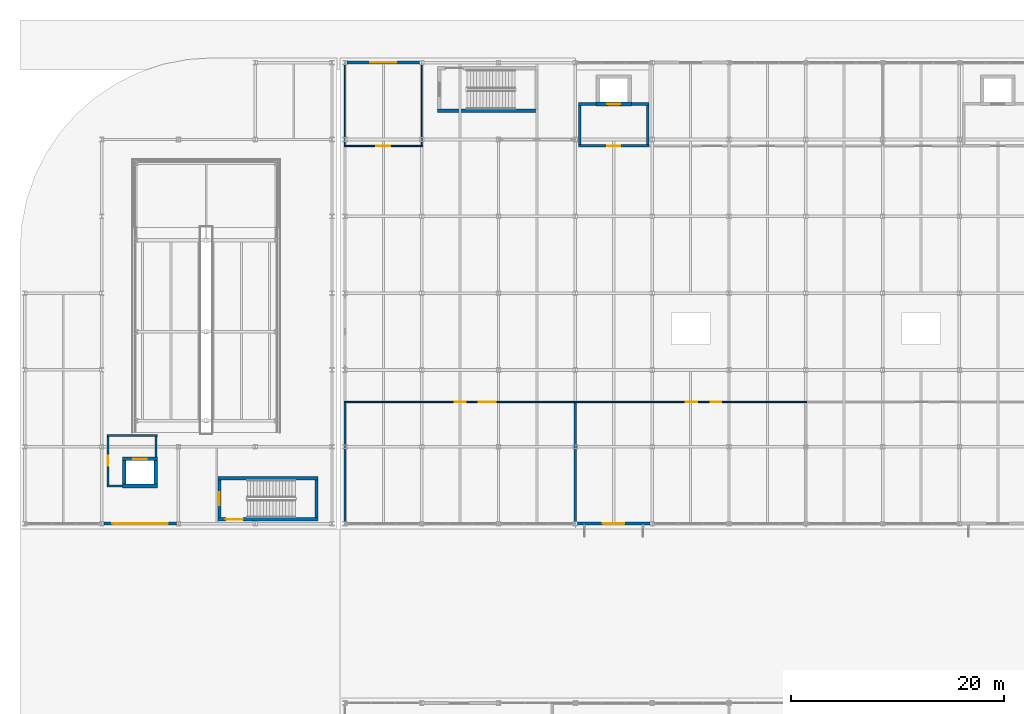
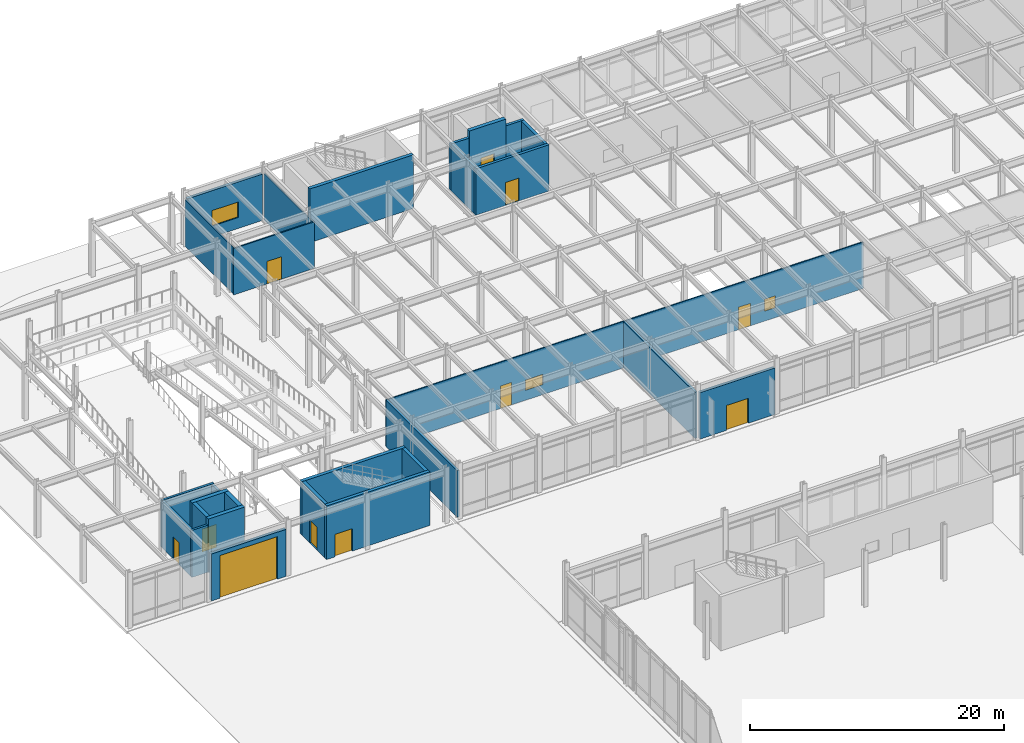
# One storey, part 73 of 104: 29 walls, 11 doors, 3 windows, 14 openings.
"""IFC4 building model written with IfcOpenShell, lengths in metres."""

import ifcopenshell
import ifcopenshell.guid

model = None  # the IFC model being written
_history = None  # IfcOwnerHistory: only IFC2X3 demands one
_inside = {}  # id of a spatial element -> (the spatial element, [elements in it])
_under = {}  # id of a project, library or spatial element -> (it, [spatial elements below it])
_declared = {}  # id of a project -> (the project, [libraries it declares])
_typed = {}  # id of a type object -> (the type object, [elements of that type])
_made_of = {}  # id of a material, layer set ... -> (it, [elements and type objects made of it])


def new_model(schema):
    """Start an empty IFC model of exactly this schema.

    Asked for "IFC4X3", IfcOpenShell would pick the latest addendum, in which some entities
    have other attributes; the version numbers below select the first issue.
    IFC2X3 requires an IfcOwnerHistory on every rooted entity: one is made here for all.
    """
    global model, _history
    if schema == "IFC4X3":
        model = ifcopenshell.file(schema_version=(4, 3, 0, 0))
    else:
        model = ifcopenshell.file(schema=schema)
    _inside.clear()
    _under.clear()
    _declared.clear()
    _typed.clear()
    _made_of.clear()
    _history = None
    if model.schema == "IFC2X3":
        org = make("IfcOrganization", Name="unknown")
        user = make(
            "IfcPersonAndOrganization",
            ThePerson=make("IfcPerson", FamilyName="unknown"),
            TheOrganization=org,
        )
        app = make(
            "IfcApplication",
            ApplicationDeveloper=org,
            Version="unknown",
            ApplicationFullName="unknown",
            ApplicationIdentifier="unknown",
        )
        _history = make(
            "IfcOwnerHistory",
            OwningUser=user,
            OwningApplication=app,
            ChangeAction="ADDED",
            CreationDate=0,
        )
    return model


def make(cls, **values):
    """One entity of the class cls with the attributes given. An attribute that is None is left unset."""
    return model.create_entity(
        cls, **{name: value for name, value in values.items() if value is not None}
    )


def rooted(cls, **values):
    """An entity with a GlobalId (a new one), such as an element, a storey or a relation."""
    return make(cls, GlobalId=ifcopenshell.guid.new(), OwnerHistory=_history, **values)


def si_unit(unit_type, name, prefix=None):
    """IfcSIUnit, for example si_unit("LENGTHUNIT", "METRE", prefix="MILLI")."""
    return make("IfcSIUnit", UnitType=unit_type, Prefix=prefix, Name=name)


def assignment(units):
    """IfcUnitAssignment: the units of a project."""
    return None if units is None else make("IfcUnitAssignment", Units=units)


def point(xyz):
    """IfcCartesianPoint."""
    return None if xyz is None else make("IfcCartesianPoint", Coordinates=xyz)


def direction(xyz):
    """IfcDirection."""
    return None if xyz is None else make("IfcDirection", DirectionRatios=xyz)


def frame(location, z_axis=None, x_axis=None):
    """IfcAxis2Placement3D, a coordinate frame: its origin and axes. An axis left out is left unset."""
    return make(
        "IfcAxis2Placement3D",
        Location=point(location),
        Axis=direction(z_axis),
        RefDirection=direction(x_axis),
    )


def frame_2d(location, x_axis=None):
    """IfcAxis2Placement2D, a coordinate frame in the plane: its origin and x axis."""
    return make(
        "IfcAxis2Placement2D", Location=point(location), RefDirection=direction(x_axis)
    )


def origin():
    """The frame at (0, 0, 0) with its axes left unset."""
    return frame((0.0, 0.0, 0.0))


def place(relative_to, where):
    """IfcLocalPlacement: puts the frame where relative to a parent placement (None: the world)."""
    return make(
        "IfcLocalPlacement", PlacementRelTo=relative_to, RelativePlacement=where
    )


def context(
    kind, dimensions, precision=None, world=None, true_north=None, identifier=None
):
    """IfcGeometricRepresentationContext, for example the 3D "Model" context."""
    return make(
        "IfcGeometricRepresentationContext",
        ContextIdentifier=identifier,
        ContextType=kind,
        CoordinateSpaceDimension=dimensions,
        Precision=precision,
        WorldCoordinateSystem=world,
        TrueNorth=true_north,
    )


def subcontext(parent, identifier, kind, view, scale=None):
    """IfcGeometricRepresentationSubContext, for example "Body" below "Model"."""
    return make(
        "IfcGeometricRepresentationSubContext",
        ContextIdentifier=identifier,
        ContextType=kind,
        ParentContext=parent,
        TargetScale=scale,
        TargetView=view,
    )


def project(units=None, contexts=None):
    """IfcProject with its units and contexts."""
    return rooted(
        "IfcProject",
        Name="project",
        RepresentationContexts=contexts,
        UnitsInContext=assignment(units),
    )


def spatial(cls, under=None, at=None, **own):
    """A site, building, storey or space (cls), placed at a placement, below another one or the project."""
    s = rooted(cls, ObjectPlacement=at, **own)
    if under is not None:
        _under.setdefault(under.id(), (under, []))[1].append(s)
    return s


def profile(cls, at=None, kind="AREA", **sizes):
    """A parametric profile (cls). Its sizes go by their IFC names, for example OverallWidth=200.0."""
    return make(cls, ProfileType=kind, Position=at, **sizes)


def rectangle(**sizes):
    """IfcRectangleProfileDef."""
    return profile("IfcRectangleProfileDef", **sizes)


def extrude(swept, where, along, depth):
    """IfcExtrudedAreaSolid: the profile swept, set in the frame where, extruded along a direction by depth."""
    return make(
        "IfcExtrudedAreaSolid",
        SweptArea=swept,
        Position=where,
        ExtrudedDirection=direction(along),
        Depth=depth,
    )


def shape(context_of_items, identifier, shape_type, items):
    """IfcShapeRepresentation: the items that make up one representation, for example the "Body"."""
    return make(
        "IfcShapeRepresentation",
        ContextOfItems=context_of_items,
        RepresentationIdentifier=identifier,
        RepresentationType=shape_type,
        Items=items,
    )


def material(Name=None, Category=None):
    """IfcMaterial."""
    return make("IfcMaterial", Name=Name, Category=Category)


def layer(
    of_material, thickness, ventilated=None, Name=None, Category=None, Priority=None
):
    """IfcMaterialLayer: one layer of a wall or slab, of a material (None: an air gap)."""
    return make(
        "IfcMaterialLayer",
        Material=of_material,
        LayerThickness=thickness,
        IsVentilated=ventilated,
        Name=Name,
        Category=Category,
        Priority=Priority,
    )


def layer_set(layers, Name=None):
    """IfcMaterialLayerSet."""
    return make("IfcMaterialLayerSet", MaterialLayers=layers, LayerSetName=Name)


def made_of(thing, what):
    """Note that an element or type object is made of a material, layer set ...; save() writes the relation."""
    if what is not None:
        _made_of.setdefault(what.id(), (what, []))[1].append(thing)
    return thing


def type_object(cls, material=None, **own):
    """A type object (cls), such as IfcWallType, which elements share."""
    return made_of(rooted(cls, **own), material)


def element(
    cls,
    number,
    at=None,
    inside=None,
    cuts=None,
    type_object=None,
    material=None,
    context=None,
    identifier="Body",
    shape_type=None,
    held_by="IfcProductDefinitionShape",
    body=None,
    shapes=None,
    **own,
):
    """One element of the class cls, such as IfcWall. Its Tag is "e" and its number.

    at: its placement. inside: the storey or other place that contains it. cuts: it is an
    opening in that element (IfcRelVoidsElement). A single representation is given by context,
    identifier, shape_type and body (its items); several are given by shapes. held_by: the class
    of the entity that holds the representations. save() writes the other relations.
    """
    e = rooted(cls, Tag="e%d" % number, ObjectPlacement=at, **own)
    if body is not None:
        shapes = [shape(context, identifier, shape_type, body)]
    if shapes is not None:
        e.Representation = make(held_by, Representations=shapes)
    if inside is not None:
        _inside.setdefault(inside.id(), (inside, []))[1].append(e)
    if cuts is not None:
        rooted(
            "IfcRelVoidsElement", RelatingBuildingElement=cuts, RelatedOpeningElement=e
        )
    if type_object is not None:
        _typed.setdefault(type_object.id(), (type_object, []))[1].append(e)
    return made_of(e, material)


def fill(opening, filler):
    """IfcRelFillsElement: the door or window that sits in an opening."""
    return rooted(
        "IfcRelFillsElement",
        RelatingOpeningElement=opening,
        RelatedBuildingElement=filler,
    )


def aggregate(whole, parts):
    """IfcRelAggregates: a whole, such as a stair, and the parts it consists of."""
    return rooted("IfcRelAggregates", RelatingObject=whole, RelatedObjects=parts)


def save(model, path):
    """Write the relations noted so far, then the file.

    IfcRelAggregates (storeys below a building ...), IfcRelContainedInSpatialStructure (elements
    in a storey), IfcRelDefinesByType, IfcRelAssociatesMaterial and IfcRelDeclares: one each for
    every whole, place, type object, material and project.
    """
    for whole, parts in _under.values():
        aggregate(whole, parts)
    for where, things in _inside.values():
        rooted(
            "IfcRelContainedInSpatialStructure",
            RelatedElements=things,
            RelatingStructure=where,
        )
    for kind, things in _typed.values():
        rooted("IfcRelDefinesByType", RelatedObjects=things, RelatingType=kind)
    for what, things in _made_of.values():
        rooted("IfcRelAssociatesMaterial", RelatedObjects=things, RelatingMaterial=what)
    for by, libraries in _declared.values():
        rooted("IfcRelDeclares", RelatingContext=by, RelatedDefinitions=libraries)
    model.write(path)


model = new_model("IFC4")

# Units and contexts
model_context = context("Model", 3, precision=1e-05, world=origin(), true_north=direction((0.0, 1.0)))
body_context = subcontext(model_context, "Body", "Model", "MODEL_VIEW")
ifc_project = project(units=[si_unit("LENGTHUNIT", "METRE"), si_unit("AREAUNIT", "SQUARE_METRE"), si_unit("VOLUMEUNIT", "CUBIC_METRE"), si_unit("PLANEANGLEUNIT", "RADIAN"), si_unit("MASSUNIT", "GRAM", prefix="KILO")], contexts=[model_context])

# Site, building, storey
site_placement = place(None, origin())
site = spatial("IfcSite", under=ifc_project, at=site_placement, CompositionType="ELEMENT")
building_placement = place(site_placement, origin())
building = spatial("IfcBuilding", under=site, at=building_placement, Name="Vaelcorin Mobility Hub", CompositionType="ELEMENT")
storey_placement = place(building_placement, origin())
storey = spatial("IfcBuildingStorey", under=building, at=storey_placement, Name="L00", CompositionType="ELEMENT", Elevation=0.0)

# Wall, opening, door
ifc_material_1 = material(Name="Reinforced concrete f'c 45 MPa", Category="concrete")
ifc_layer_1 = layer(ifc_material_1, 0.300048828125)
ifc_layer_set_1 = layer_set([ifc_layer_1], Name="Reinforced concrete f'c 45 MPa")
wall_type_1 = type_object("IfcWallType", Name="WL-CORE-300", PredefinedType="SOLIDWALL", material=ifc_layer_set_1)
wall_1_placement = place(storey_placement, frame((33.5, 77.199951171875, 0.0), z_axis=(0.0, 0.0, 1.0), x_axis=(-1.0, 0.0, 0.0)))
wall_1 = element("IfcWall", 1, at=wall_1_placement, inside=storey, type_object=wall_type_1, Name="ST1 Fire Core Wall L00 South", PredefinedType="SOLIDWALL", context=body_context, shape_type="SweptSolid", body=[
    extrude(rectangle(XDim=9.39990234375, YDim=0.300048828125, at=frame_2d((4.699951171875, 0.0))), origin(), (0.0, 0.0, 1.0), 5.14990234375),
])
opening_1_placement = place(wall_1_placement, frame((7.050048828125, 0.0, 0.0)))
opening_1 = element("IfcOpeningElement", 2, at=opening_1_placement, cuts=wall_1, Name="Opening SD03", PredefinedType="OPENING", context=body_context, shape_type="SweptSolid", body=[
    extrude(rectangle(XDim=1.60009765625, YDim=2.14990234375, at=frame_2d((0.800048828125, 1.074951171875))), frame((0.0, 0.159912109375, 0.0), z_axis=(0.0, -1.0, 0.0), x_axis=(1.0, 0.0, 0.0)), (0.0, 0.0, 1.0), 0.320068359375),
])
ifc_material_2 = material(Name="Hollow-metal insulated steel fire door", Category="steel")
door_type_1 = type_object("IfcDoorType", Name="DR-STAIR-EXIT", OperationType="NOTDEFINED", PredefinedType="DOOR", material=ifc_material_2)
door_1_placement = place(opening_1_placement, origin())
door_1 = element("IfcDoor", 3, at=door_1_placement, inside=storey, type_object=door_type_1, Name="ST1 Final Exit Discharge Door L00", OperationType="SINGLE_SWING_RIGHT", OverallHeight=2.14990234375, OverallWidth=1.60009765625, PredefinedType="DOOR", context=body_context, shape_type="SweptSolid", body=[
    extrude(rectangle(XDim=1.60009765625, YDim=2.14990234375, at=frame_2d((0.800048828125, 1.074951171875))), frame((0.0, 0.02490234375, 0.0), z_axis=(0.0, -1.0, 0.0), x_axis=(1.0, 0.0, 0.0)), (0.0, 0.0, 1.0), 0.050048828125),
])
fill(opening_1, door_1)

# Wall
wall_2_placement = place(storey_placement, frame((24.10009765625, 81.06005859375, 0.0), z_axis=(0.0, 0.0, 1.0), x_axis=(1.0, 0.0, 0.0)))
element("IfcWall", 4, at=wall_2_placement, inside=storey, type_object=wall_type_1, Name="ST1 Fire Core Wall L00 North", PredefinedType="SOLIDWALL", context=body_context, shape_type="SweptSolid", body=[
    extrude(rectangle(XDim=9.39990234375, YDim=0.300048828125, at=frame_2d((4.699951171875, 0.0))), origin(), (0.0, 0.0, 1.0), 5.14990234375),
])

# Wall, opening, door
wall_3_placement = place(storey_placement, frame((24.25, 77.35009765625, 0.0), z_axis=(0.0, 0.0, 1.0), x_axis=(0.0, 1.0, 0.0)))
wall_3 = element("IfcWall", 5, at=wall_3_placement, inside=storey, type_object=wall_type_1, Name="ST1 Fire Core Wall L00 West", PredefinedType="SOLIDWALL", context=body_context, shape_type="SweptSolid", body=[
    extrude(rectangle(XDim=3.559814453125, YDim=0.300048828125, at=frame_2d((1.77978515625, 0.0))), origin(), (0.0, 0.0, 1.0), 5.14990234375),
])
opening_2_placement = place(wall_3_placement, frame((1.179931640625, 0.0, 0.0)))
opening_2 = element("IfcOpeningElement", 6, at=opening_2_placement, cuts=wall_3, Name="Opening SD01", PredefinedType="OPENING", context=body_context, shape_type="SweptSolid", body=[
    extrude(rectangle(XDim=1.199951171875, YDim=2.199951171875, at=frame_2d((0.60009765625, 1.10009765625))), frame((0.0, 0.159912109375, 0.0), z_axis=(0.0, -1.0, 0.0), x_axis=(1.0, 0.0, 0.0)), (0.0, 0.0, 1.0), 0.320068359375),
])
door_type_2 = type_object("IfcDoorType", Name="DR-STAIR-90", OperationType="NOTDEFINED", PredefinedType="DOOR", material=ifc_material_2)
door_2_placement = place(opening_2_placement, origin())
door_2 = element("IfcDoor", 7, at=door_2_placement, inside=storey, type_object=door_type_2, Name="ST1 Protected Stair Door L00", OperationType="SINGLE_SWING_LEFT", OverallHeight=2.199951171875, OverallWidth=1.199951171875, PredefinedType="DOOR", context=body_context, shape_type="SweptSolid", body=[
    extrude(rectangle(XDim=1.199951171875, YDim=2.199951171875, at=frame_2d((0.60009765625, 1.10009765625))), frame((0.0, 0.02490234375, 0.0), z_axis=(0.0, -1.0, 0.0), x_axis=(1.0, 0.0, 0.0)), (0.0, 0.0, 1.0), 0.050048828125),
])
fill(opening_2, door_2)

# Walls
wall_4_placement = place(storey_placement, frame((33.35009765625, 80.909912109375, 0.0), z_axis=(0.0, 0.0, 1.0), x_axis=(0.0, -1.0, 0.0)))
element("IfcWall", 8, at=wall_4_placement, inside=storey, type_object=wall_type_1, Name="ST1 Fire Core Wall L00 East", PredefinedType="SOLIDWALL", context=body_context, shape_type="SweptSolid", body=[
    extrude(rectangle(XDim=3.559814453125, YDim=0.300048828125, at=frame_2d((1.77978515625, 0.0))), origin(), (0.0, 0.0, 1.0), 5.14990234375),
])
wall_5_placement = place(storey_placement, frame((54.10009765625, 115.5, 0.0), z_axis=(0.0, 0.0, 1.0), x_axis=(-1.0, 0.0, 0.0)))
element("IfcWall", 9, at=wall_5_placement, inside=storey, type_object=wall_type_1, Name="ST3 Fire Core Wall L00 South", PredefinedType="SOLIDWALL", context=body_context, shape_type="SweptSolid", body=[
    extrude(rectangle(XDim=9.400146484375, YDim=0.300048828125, at=frame_2d((4.7001953125, 0.0))), origin(), (0.0, 0.0, 1.0), 5.159912109375),
])

# Wall, opening, window
ifc_material_3 = material(Name="Insulated exterior precast concrete C40/50", Category="concrete")
ifc_layer_2 = layer(ifc_material_3, 0.280029296875)
ifc_layer_set_2 = layer_set([ifc_layer_2], Name="Insulated exterior precast concrete C40/50")
wall_type_2 = type_object("IfcWallType", Name="WL-EXT-280", PredefinedType="STANDARD", material=ifc_layer_set_2)
wall_6_placement = place(storey_placement, frame((36.20703125, 120.0, 0.0), z_axis=(0.0, 0.0, 1.0), x_axis=(1.0, 0.0, 0.0)))
wall_6 = element("IfcWall", 10, at=wall_6_placement, inside=storey, type_object=wall_type_2, Name="L00 Exterior Wall V4-EW-L00-N-01", PredefinedType="STANDARD", context=body_context, shape_type="SweptSolid", body=[
    extrude(rectangle(XDim=6.785888671875, YDim=0.280029296875, at=frame_2d((3.39306640625, 0.0))), origin(), (0.0, 0.0, 1.0), 4.4619140625),
])
opening_3_placement = place(wall_6_placement, frame((2.193115234375, 0.0, 1.050048828125)))
opening_3 = element("IfcOpeningElement", 11, at=opening_3_placement, cuts=wall_6, Name="Opening WN11", PredefinedType="OPENING", context=body_context, shape_type="SweptSolid", body=[
    extrude(rectangle(XDim=2.39990234375, YDim=1.5, at=frame_2d((1.199951171875, 0.75))), frame((0.0, 0.14990234375, 0.0), z_axis=(0.0, -1.0, 0.0), x_axis=(1.0, 0.0, 0.0)), (0.0, 0.0, 1.0), 0.300048828125),
])
ifc_material_4 = material(Name="Double-glazed low-E window unit", Category="glass")
window_type_1 = type_object("IfcWindowType", Name="WIN-2400X1500", PartitioningType="SINGLE_PANEL", PredefinedType="WINDOW", material=ifc_material_4)
window_1_placement = place(opening_3_placement, origin())
window_1 = element("IfcWindow", 12, at=window_1_placement, inside=storey, type_object=window_type_1, Name="L00 Window V4-EW-L00-N-01-WN", OverallHeight=1.5, OverallWidth=2.39990234375, PartitioningType="SINGLE_PANEL", PredefinedType="WINDOW", context=body_context, shape_type="SweptSolid", body=[
    extrude(rectangle(XDim=2.39990234375, YDim=1.5, at=frame_2d((1.199951171875, 0.75))), frame((0.0, 0.030029296875, 0.0), z_axis=(0.0, -1.0, 0.0), x_axis=(1.0, 0.0, 0.0)), (0.0, 0.0, 1.0), 0.06005859375),
])
fill(opening_3, window_1)

# Wall, opening, door
wall_7_placement = place(storey_placement, frame((64.593017578125, 76.800048828125, 0.0), z_axis=(0.0, 0.0, 1.0), x_axis=(-1.0, 0.0, 0.0)))
wall_7 = element("IfcWall", 13, at=wall_7_placement, inside=storey, type_object=wall_type_2, Name="L00 Exterior Wall V4-EW-L00-S-04", PredefinedType="STANDARD", context=body_context, shape_type="SweptSolid", body=[
    extrude(rectangle(XDim=6.7861328125, YDim=0.280029296875, at=frame_2d((3.39306640625, 0.0))), origin(), (0.0, 0.0, 1.0), 4.4619140625),
])
opening_4_placement = place(wall_7_placement, frame((2.403076171875, 0.0, 0.0)))
opening_4 = element("IfcOpeningElement", 14, at=opening_4_placement, cuts=wall_7, Name="Opening ED01", PredefinedType="OPENING", context=body_context, shape_type="SweptSolid", body=[
    extrude(rectangle(XDim=2.0, YDim=2.39990234375, at=frame_2d((1.0, 1.199951171875))), frame((0.0, 0.14990234375, 0.0), z_axis=(0.0, -1.0, 0.0), x_axis=(1.0, 0.0, 0.0)), (0.0, 0.0, 1.0), 0.300048828125),
])
ifc_material_5 = material(Name="Anodised aluminium 6063-T6", Category="aluminium")
door_type_3 = type_object("IfcDoorType", Name="DR-EXT-2000X2400", OperationType="NOTDEFINED", PredefinedType="DOOR", material=ifc_material_5)
door_3_placement = place(opening_4_placement, origin())
door_3 = element("IfcDoor", 15, at=door_3_placement, inside=storey, type_object=door_type_3, Name="L00 Exterior Door DR-V4-ENT-04", OperationType="SINGLE_SWING_LEFT", OverallHeight=2.39990234375, OverallWidth=2.0, PredefinedType="DOOR", context=body_context, shape_type="SweptSolid", body=[
    extrude(rectangle(XDim=2.0, YDim=2.39990234375, at=frame_2d((1.0, 1.199951171875))), frame((0.0, 0.02490234375, 0.0), z_axis=(0.0, -1.0, 0.0), x_axis=(1.0, 0.0, 0.0)), (0.0, 0.0, 1.0), 0.050048828125),
])
fill(opening_4, door_3)

ifc_layer_3 = layer(ifc_material_3, 0.300048828125)
ifc_layer_set_3 = layer_set([ifc_layer_3], Name="Insulated exterior precast concrete C40/50")
wall_type_3 = type_object("IfcWallType", Name="WL-EXT-300", PredefinedType="STANDARD", material=ifc_layer_set_3)
wall_8_placement = place(storey_placement, frame((20.195068359375, 76.800048828125, 0.0), z_axis=(0.0, 0.0, 1.0), x_axis=(-1.0, 0.0, 0.0)))
wall_8 = element("IfcWall", 16, at=wall_8_placement, inside=storey, type_object=wall_type_3, Name="L00 Exterior Wall V2W-EW-PORTAL", PredefinedType="STANDARD", context=body_context, shape_type="SweptSolid", body=[
    extrude(rectangle(XDim=6.7900390625, YDim=0.300048828125, at=frame_2d((3.39501953125, 0.0))), origin(), (0.0, 0.0, 1.0), 4.52294921875),
])
opening_5_placement = place(wall_8_placement, frame((0.794921875, 0.0, 0.0)))
opening_5 = element("IfcOpeningElement", 17, at=opening_5_placement, cuts=wall_8, Name="Opening VG1", PredefinedType="OPENING", context=body_context, shape_type="SweptSolid", body=[
    extrude(rectangle(XDim=5.199951171875, YDim=4.10009765625, at=frame_2d((2.60009765625, 2.050048828125))), frame((0.0, 0.159912109375, 0.0), z_axis=(0.0, -1.0, 0.0), x_axis=(1.0, 0.0, 0.0)), (0.0, 0.0, 1.0), 0.320068359375),
])
door_type_4 = type_object("IfcDoorType", Name="DR-GATE-VG1", OperationType="NOTDEFINED", PredefinedType="GATE", material=ifc_material_5)
door_4_placement = place(opening_5_placement, origin())
door_4 = element("IfcDoor", 18, at=door_4_placement, inside=storey, type_object=door_type_4, Name="L00 Exterior Door DR-GATE-VG1-L00", OperationType="ROLLINGUP", OverallHeight=4.10009765625, OverallWidth=5.199951171875, PredefinedType="GATE", context=body_context, shape_type="SweptSolid", body=[
    extrude(rectangle(XDim=5.199951171875, YDim=4.10009765625, at=frame_2d((2.60009765625, 2.050048828125))), frame((0.0, 0.02490234375, 0.0), z_axis=(0.0, -1.0, 0.0), x_axis=(1.0, 0.0, 0.0)), (0.0, 0.0, 1.0), 0.050048828125),
])
fill(opening_5, door_4)

# Wall, openings, door, window
ifc_material_6 = material(Name="Fire-rated acoustic steel-stud gypsum board", Category="steel")
ifc_layer_4 = layer(ifc_material_6, 0.10009765625)
ifc_layer_set_4 = layer_set([ifc_layer_4], Name="Fire-rated acoustic steel-stud gypsum board")
wall_type_4 = type_object("IfcWallType", Name="WL-PART-100", PredefinedType="PARTITIONING", material=ifc_layer_set_4)
wall_9_placement = place(storey_placement, frame((35.919921875, 88.199951171875, 0.0), z_axis=(0.0, 0.0, 1.0), x_axis=(1.0, 0.0, 0.0)))
wall_9 = element("IfcWall", 19, at=wall_9_placement, inside=storey, type_object=wall_type_4, Name="Mobility Service Centre Partition North", PredefinedType="PARTITIONING", context=body_context, shape_type="SweptSolid", body=[
    extrude(rectangle(XDim=21.760009765625, YDim=0.10009765625, at=frame_2d((10.8798828125, 0.0))), origin(), (0.0, 0.0, 1.0), 4.45703125),
])
opening_6_placement = place(wall_9_placement, frame((10.3701171875, 0.0, 0.0)))
opening_6 = element("IfcOpeningElement", 20, at=opening_6_placement, cuts=wall_9, Name="Opening ID15", PredefinedType="OPENING", context=body_context, shape_type="SweptSolid", body=[
    extrude(rectangle(XDim=1.02001953125, YDim=2.159912109375, at=frame_2d((0.510009765625, 1.080078125))), frame((0.0, 0.06005859375, 0.0), z_axis=(0.0, -1.0, 0.0), x_axis=(1.0, 0.0, 0.0)), (0.0, 0.0, 1.0), 0.1201171875),
])
opening_7_placement = place(wall_9_placement, frame((12.639892578125, 0.0, 0.949951171875)))
opening_7 = element("IfcOpeningElement", 21, at=opening_7_placement, cuts=wall_9, Name="Opening IW-WN04", PredefinedType="OPENING", context=body_context, shape_type="SweptSolid", body=[
    extrude(rectangle(XDim=1.60009765625, YDim=1.0, at=frame_2d((0.800048828125, 0.5))), frame((0.0, 0.06005859375, 0.0), z_axis=(0.0, -1.0, 0.0), x_axis=(1.0, 0.0, 0.0)), (0.0, 0.0, 1.0), 0.1201171875),
])
ifc_material_7 = material(Name="Solid-core hardwood fire door assembly", Category="wood")
door_type_5 = type_object("IfcDoorType", Name="DR-INT-15", OperationType="NOTDEFINED", PredefinedType="DOOR", material=ifc_material_7)
door_5_placement = place(opening_6_placement, origin())
door_5 = element("IfcDoor", 22, at=door_5_placement, inside=storey, type_object=door_type_5, Name="Mobility Service Centre Door", OperationType="SINGLE_SWING_LEFT", OverallHeight=2.159912109375, OverallWidth=1.02001953125, PredefinedType="DOOR", context=body_context, shape_type="SweptSolid", body=[
    extrude(rectangle(XDim=1.02001953125, YDim=2.159912109375, at=frame_2d((0.510009765625, 1.080078125))), frame((0.0, 0.02490234375, 0.0), z_axis=(0.0, -1.0, 0.0), x_axis=(1.0, 0.0, 0.0)), (0.0, 0.0, 1.0), 0.050048828125),
])
fill(opening_6, door_5)
ifc_material_8 = material(Name="Acoustic laminated fire-rated interior glazing", Category="glass")
window_type_2 = type_object("IfcWindowType", Name="WIN-INT-04", PartitioningType="SINGLE_PANEL", PredefinedType="WINDOW", material=ifc_material_8)
window_2_placement = place(opening_7_placement, origin())
window_2 = element("IfcWindow", 23, at=window_2_placement, inside=storey, type_object=window_type_2, Name="Mobility Service Centre Observation Glazing", OverallHeight=1.0, OverallWidth=1.60009765625, PartitioningType="SINGLE_PANEL", PredefinedType="WINDOW", context=body_context, shape_type="SweptSolid", body=[
    extrude(rectangle(XDim=1.60009765625, YDim=1.0, at=frame_2d((0.800048828125, 0.5))), frame((0.0, 0.030029296875, 0.0), z_axis=(0.0, -1.0, 0.0), x_axis=(1.0, 0.0, 0.0)), (0.0, 0.0, 1.0), 0.06005859375),
])
fill(opening_7, window_2)

# Wall
wall_10_placement = place(storey_placement, frame((43.199951171875, 119.85791015625, 0.0), z_axis=(0.0, 0.0, 1.0), x_axis=(0.0, -1.0, 0.0)))
element("IfcWall", 24, at=wall_10_placement, inside=storey, type_object=wall_type_4, Name="Fire Command Centre Partition East", PredefinedType="PARTITIONING", context=body_context, shape_type="SweptSolid", body=[
    extrude(rectangle(XDim=7.595947265625, YDim=0.10009765625, at=frame_2d((3.7978515625, 0.0))), origin(), (0.0, 0.0, 1.0), 4.45703125),
])

# Wall, openings, door, window
ifc_layer_5 = layer(ifc_material_6, 0.10498046875)
ifc_layer_set_5 = layer_set([ifc_layer_5], Name="Fire-rated acoustic steel-stud gypsum board")
wall_type_5 = type_object("IfcWallType", Name="WL-PART-105", PredefinedType="PARTITIONING", material=ifc_layer_set_5)
wall_11_placement = place(storey_placement, frame((57.681884765625, 88.199951171875, 0.0), z_axis=(0.0, 0.0, 1.0), x_axis=(1.0, 0.0, 0.0)))
wall_11 = element("IfcWall", 25, at=wall_11_placement, inside=storey, type_object=wall_type_5, Name="Oasis Courtyard Garden Cafe Partition North", PredefinedType="PARTITIONING", context=body_context, shape_type="SweptSolid", body=[
    extrude(rectangle(XDim=21.59814453125, YDim=0.10498046875, at=frame_2d((10.799072265625, 0.0))), origin(), (0.0, 0.0, 1.0), 4.45703125),
])
opening_8_placement = place(wall_11_placement, frame((10.259033203125, 0.0, 0.0)))
opening_8 = element("IfcOpeningElement", 26, at=opening_8_placement, cuts=wall_11, Name="Opening ID16", PredefinedType="OPENING", context=body_context, shape_type="SweptSolid", body=[
    extrude(rectangle(XDim=1.080078125, YDim=2.159912109375, at=frame_2d((0.5400390625, 1.080078125))), frame((0.0, 0.0625, 0.0), z_axis=(0.0, -1.0, 0.0), x_axis=(1.0, 0.0, 0.0)), (0.0, 0.0, 1.0), 0.125),
])
opening_9_placement = place(wall_11_placement, frame((12.589111328125, 0.0, 0.949951171875)))
opening_9 = element("IfcOpeningElement", 27, at=opening_9_placement, cuts=wall_11, Name="Opening IW-WN05", PredefinedType="OPENING", context=body_context, shape_type="SweptSolid", body=[
    extrude(rectangle(XDim=1.0, YDim=1.14990234375, at=frame_2d((0.5, 0.574951171875))), frame((0.0, 0.0625, 0.0), z_axis=(0.0, -1.0, 0.0), x_axis=(1.0, 0.0, 0.0)), (0.0, 0.0, 1.0), 0.125),
])
door_type_6 = type_object("IfcDoorType", Name="DR-INT-16", OperationType="NOTDEFINED", PredefinedType="DOOR", material=ifc_material_7)
door_6_placement = place(opening_8_placement, origin())
door_6 = element("IfcDoor", 28, at=door_6_placement, inside=storey, type_object=door_type_6, Name="Oasis Courtyard Garden Cafe Door", OperationType="SINGLE_SWING_RIGHT", OverallHeight=2.159912109375, OverallWidth=1.080078125, PredefinedType="DOOR", context=body_context, shape_type="SweptSolid", body=[
    extrude(rectangle(XDim=1.080078125, YDim=2.159912109375, at=frame_2d((0.5400390625, 1.080078125))), frame((0.0, 0.02490234375, 0.0), z_axis=(0.0, -1.0, 0.0), x_axis=(1.0, 0.0, 0.0)), (0.0, 0.0, 1.0), 0.050048828125),
])
fill(opening_8, door_6)
window_type_3 = type_object("IfcWindowType", Name="WIN-INT-05", PartitioningType="SINGLE_PANEL", PredefinedType="WINDOW", material=ifc_material_8)
window_3_placement = place(opening_9_placement, origin())
window_3 = element("IfcWindow", 29, at=window_3_placement, inside=storey, type_object=window_type_3, Name="Oasis Courtyard Garden Cafe Observation Glazing", OverallHeight=1.14990234375, OverallWidth=1.0, PartitioningType="SINGLE_PANEL", PredefinedType="WINDOW", context=body_context, shape_type="SweptSolid", body=[
    extrude(rectangle(XDim=1.0, YDim=1.14990234375, at=frame_2d((0.5, 0.574951171875))), frame((0.0, 0.030029296875, 0.0), z_axis=(0.0, -1.0, 0.0), x_axis=(1.0, 0.0, 0.0)), (0.0, 0.0, 1.0), 0.06005859375),
])
fill(opening_9, window_3)

# Wall, opening, door
ifc_layer_6 = layer(ifc_material_6, 0.1201171875)
ifc_layer_set_6 = layer_set([ifc_layer_6], Name="Fire-rated acoustic steel-stud gypsum board")
wall_type_6 = type_object("IfcWallType", Name="WL-PART-120", PredefinedType="PARTITIONING", material=ifc_layer_set_6)
wall_12_placement = place(storey_placement, frame((43.280029296875, 112.199951171875, 0.0), z_axis=(0.0, 0.0, 1.0), x_axis=(-1.0, 0.0, 0.0)))
wall_12 = element("IfcWall", 30, at=wall_12_placement, inside=storey, type_object=wall_type_6, Name="Fire Command Centre Partition South", PredefinedType="PARTITIONING", context=body_context, shape_type="SweptSolid", body=[
    extrude(rectangle(XDim=7.360107421875, YDim=0.1201171875, at=frame_2d((3.68017578125, 0.0))), origin(), (0.0, 0.0, 1.0), 4.45703125),
])
opening_10_placement = place(wall_12_placement, frame((3.010009765625, 0.0, 0.0)))
opening_10 = element("IfcOpeningElement", 31, at=opening_10_placement, cuts=wall_12, Name="Opening ID19", PredefinedType="OPENING", context=body_context, shape_type="SweptSolid", body=[
    extrude(rectangle(XDim=1.340087890625, YDim=2.159912109375, at=frame_2d((0.669921875, 1.080078125))), frame((0.0, 0.070068359375, 0.0), z_axis=(0.0, -1.0, 0.0), x_axis=(1.0, 0.0, 0.0)), (0.0, 0.0, 1.0), 0.14013671875),
])
door_type_7 = type_object("IfcDoorType", Name="DR-INT-19", OperationType="NOTDEFINED", PredefinedType="DOOR", material=ifc_material_7)
door_7_placement = place(opening_10_placement, origin())
door_7 = element("IfcDoor", 32, at=door_7_placement, inside=storey, type_object=door_type_7, Name="Fire Command Centre Door", OperationType="SINGLE_SWING_LEFT", OverallHeight=2.159912109375, OverallWidth=1.340087890625, PredefinedType="DOOR", context=body_context, shape_type="SweptSolid", body=[
    extrude(rectangle(XDim=1.340087890625, YDim=2.159912109375, at=frame_2d((0.669921875, 1.080078125))), frame((0.0, 0.02490234375, 0.0), z_axis=(0.0, -1.0, 0.0), x_axis=(1.0, 0.0, 0.0)), (0.0, 0.0, 1.0), 0.050048828125),
])
fill(opening_10, door_7)

# Walls
ifc_material_9 = material(Name="Reinforced acoustic concrete masonry C30/37", Category="masonry")
ifc_layer_7 = layer(ifc_material_9, 0.205078125)
ifc_layer_set_7 = layer_set([ifc_layer_7], Name="Reinforced acoustic concrete masonry C30/37")
wall_type_7 = type_object("IfcWallType", Name="WL-PART-205", PredefinedType="PARTITIONING", material=ifc_layer_set_7)
wall_13_placement = place(storey_placement, frame((13.697998046875, 85.050048828125, 0.0), z_axis=(0.0, 0.0, 1.0), x_axis=(1.0, 0.0, 0.0)))
element("IfcWall", 33, at=wall_13_placement, inside=storey, type_object=wall_type_7, Name="West Drum Lift Lobby L00 Partition North", PredefinedType="PARTITIONING", context=body_context, shape_type="SweptSolid", body=[
    extrude(rectangle(XDim=4.751953125, YDim=0.205078125, at=frame_2d((2.3759765625, 0.0))), origin(), (0.0, 0.0, 1.0), 4.51806640625),
])
wall_14_placement = place(storey_placement, frame((15.14794921875, 80.324951171875, 0.0), z_axis=(0.0, 0.0, 1.0), x_axis=(-1.0, 0.0, 0.0)))
element("IfcWall", 34, at=wall_14_placement, inside=storey, type_object=wall_type_7, Name="West Drum Lift Lobby L00 Return Wall South", PredefinedType="PARTITIONING", context=body_context, shape_type="SweptSolid", body=[
    extrude(rectangle(XDim=1.449951171875, YDim=0.205078125, at=frame_2d((0.72509765625, 0.0))), origin(), (0.0, 0.0, 1.0), 4.51806640625),
])

# Wall, opening, door
wall_15_placement = place(storey_placement, frame((13.800048828125, 80.429931640625, 0.0), z_axis=(0.0, 0.0, 1.0), x_axis=(0.0, 1.0, 0.0)))
wall_15 = element("IfcWall", 35, at=wall_15_placement, inside=storey, type_object=wall_type_7, Name="West Drum Lift Lobby L00 Partition West", PredefinedType="PARTITIONING", context=body_context, shape_type="SweptSolid", body=[
    extrude(rectangle(XDim=4.51611328125, YDim=0.205078125, at=frame_2d((2.258056640625, 0.0))), origin(), (0.0, 0.0, 1.0), 4.51806640625),
])
opening_11_placement = place(wall_15_placement, frame((1.7880859375, 0.0, 0.0)))
opening_11 = element("IfcOpeningElement", 36, at=opening_11_placement, cuts=wall_15, Name="Opening ID02", PredefinedType="OPENING", context=body_context, shape_type="SweptSolid", body=[
    extrude(rectangle(XDim=0.93994140625, YDim=2.10009765625, at=frame_2d((0.469970703125, 1.050048828125))), frame((0.0, 0.112548828125, 0.0), z_axis=(0.0, -1.0, 0.0), x_axis=(1.0, 0.0, 0.0)), (0.0, 0.0, 1.0), 0.22509765625),
])
door_type_8 = type_object("IfcDoorType", Name="DR-INT-02", OperationType="NOTDEFINED", PredefinedType="DOOR", material=ifc_material_7)
door_8_placement = place(opening_11_placement, origin())
door_8 = element("IfcDoor", 37, at=door_8_placement, inside=storey, type_object=door_type_8, Name="West Drum Lift Lobby L00 Door", OperationType="SINGLE_SWING_LEFT", OverallHeight=2.10009765625, OverallWidth=0.93994140625, PredefinedType="DOOR", context=body_context, shape_type="SweptSolid", body=[
    extrude(rectangle(XDim=0.93994140625, YDim=2.10009765625, at=frame_2d((0.469970703125, 1.050048828125))), frame((0.0, 0.02490234375, 0.0), z_axis=(0.0, -1.0, 0.0), x_axis=(1.0, 0.0, 0.0)), (0.0, 0.0, 1.0), 0.050048828125),
])
fill(opening_11, door_8)

# Walls
wall_16_placement = place(storey_placement, frame((18.300048828125, 84.946044921875, 0.0), z_axis=(0.0, 0.0, 1.0), x_axis=(0.0, -1.0, 0.0)))
element("IfcWall", 38, at=wall_16_placement, inside=storey, type_object=wall_type_7, Name="West Drum Lift Lobby L00 Return Wall East", PredefinedType="PARTITIONING", context=body_context, shape_type="SweptSolid", body=[
    extrude(rectangle(XDim=1.89404296875, YDim=0.205078125, at=frame_2d((0.947021484375, 0.0))), origin(), (0.0, 0.0, 1.0), 4.51806640625),
])
ifc_layer_8 = layer(ifc_material_9, 0.2119140625)
ifc_layer_set_8 = layer_set([ifc_layer_8], Name="Reinforced acoustic concrete masonry C30/37")
wall_type_8 = type_object("IfcWallType", Name="WL-PART-212", PredefinedType="PARTITIONING", material=ifc_layer_set_8)
wall_17_placement = place(storey_placement, frame((36.0, 76.94189453125, 0.0), z_axis=(0.0, 0.0, 1.0), x_axis=(0.0, 1.0, 0.0)))
element("IfcWall", 39, at=wall_17_placement, inside=storey, type_object=wall_type_8, Name="Mobility Service Centre Partition West", PredefinedType="PARTITIONING", context=body_context, shape_type="SweptSolid", body=[
    extrude(rectangle(XDim=11.2060546875, YDim=0.2119140625, at=frame_2d((5.60302734375, 0.0))), origin(), (0.0, 0.0, 1.0), 4.45703125),
])
ifc_layer_9 = layer(ifc_material_9, 0.22509765625)
ifc_layer_set_9 = layer_set([ifc_layer_9], Name="Reinforced acoustic concrete masonry C30/37")
wall_type_9 = type_object("IfcWallType", Name="WL-PART-225", PredefinedType="PARTITIONING", material=ifc_layer_set_9)
wall_18_placement = place(storey_placement, frame((57.60009765625, 88.14599609375, 0.0), z_axis=(0.0, 0.0, 1.0), x_axis=(0.0, -1.0, 0.0)))
element("IfcWall", 40, at=wall_18_placement, inside=storey, type_object=wall_type_9, Name="Mobility Service Centre Partition East", PredefinedType="PARTITIONING", context=body_context, shape_type="SweptSolid", body=[
    extrude(rectangle(XDim=11.2041015625, YDim=0.22509765625, at=frame_2d((5.60205078125, 0.0))), origin(), (0.0, 0.0, 1.0), 4.45703125),
])

# Wall, opening, door
ifc_layer_10 = layer(ifc_material_9, 0.25)
ifc_layer_set_10 = layer_set([ifc_layer_10], Name="Reinforced acoustic concrete masonry C30/37")
wall_type_10 = type_object("IfcWallType", Name="WL-PART-250", PredefinedType="PARTITIONING", material=ifc_layer_set_10)
wall_19_placement = place(storey_placement, frame((64.52490234375, 112.199951171875, 0.0), z_axis=(0.0, 0.0, 1.0), x_axis=(-1.0, 0.0, 0.0)))
wall_19 = element("IfcWall", 41, at=wall_19_placement, inside=storey, type_object=wall_type_10, Name="Firefighting Lobby West L00 Partition South", PredefinedType="PARTITIONING", context=body_context, shape_type="SweptSolid", body=[
    extrude(rectangle(XDim=6.64990234375, YDim=0.25, at=frame_2d((3.324951171875, 0.0))), origin(), (0.0, 0.0, 1.0), 4.45703125),
])
opening_12_placement = place(wall_19_placement, frame((2.699951171875, 0.0, 0.0)))
opening_12 = element("IfcOpeningElement", 42, at=opening_12_placement, cuts=wall_19, Name="Opening SD02", PredefinedType="OPENING", context=body_context, shape_type="SweptSolid", body=[
    extrude(rectangle(XDim=1.25, YDim=2.199951171875, at=frame_2d((0.625, 1.10009765625))), frame((0.0, 0.135009765625, 0.0), z_axis=(0.0, -1.0, 0.0), x_axis=(1.0, 0.0, 0.0)), (0.0, 0.0, 1.0), 0.27001953125),
])
door_type_9 = type_object("IfcDoorType", Name="DR-STAIR-FF", OperationType="NOTDEFINED", PredefinedType="DOOR", material=ifc_material_2)
door_9_placement = place(opening_12_placement, origin())
door_9 = element("IfcDoor", 43, at=door_9_placement, inside=storey, type_object=door_type_9, Name="Firefighting Lobby West L00 Door", OperationType="SINGLE_SWING_LEFT", OverallHeight=2.199951171875, OverallWidth=1.25, PredefinedType="DOOR", context=body_context, shape_type="SweptSolid", body=[
    extrude(rectangle(XDim=1.25, YDim=2.199951171875, at=frame_2d((0.625, 1.10009765625))), frame((0.0, 0.02490234375, 0.0), z_axis=(0.0, -1.0, 0.0), x_axis=(1.0, 0.0, 0.0)), (0.0, 0.0, 1.0), 0.050048828125),
])
fill(opening_12, door_9)

# Walls
wall_20_placement = place(storey_placement, frame((57.875, 116.125, 0.0), z_axis=(0.0, 0.0, 1.0), x_axis=(1.0, 0.0, 0.0)))
element("IfcWall", 44, at=wall_20_placement, inside=storey, type_object=wall_type_10, Name="Firefighting Lobby West L00 Return Wall NW", PredefinedType="PARTITIONING", context=body_context, shape_type="SweptSolid", body=[
    extrude(rectangle(XDim=1.673095703125, YDim=0.25, at=frame_2d((0.83642578125, 0.0))), origin(), (0.0, 0.0, 1.0), 4.45703125),
])
wall_21_placement = place(storey_placement, frame((62.85205078125, 116.125, 0.0), z_axis=(0.0, 0.0, 1.0), x_axis=(1.0, 0.0, 0.0)))
element("IfcWall", 45, at=wall_21_placement, inside=storey, type_object=wall_type_10, Name="Firefighting Lobby West L00 Return Wall NE", PredefinedType="PARTITIONING", context=body_context, shape_type="SweptSolid", body=[
    extrude(rectangle(XDim=1.6728515625, YDim=0.25, at=frame_2d((0.83642578125, 0.0))), origin(), (0.0, 0.0, 1.0), 4.45703125),
])
for number, where, z_axis, x_axis, name in (
    (46, (58.0, 112.326904296875, 0.0), (0.0, 0.0, 1.0), (0.0, 1.0, 0.0), "Firefighting Lobby West L00 Partition West"),
    (47, (64.39990234375, 115.998046875, 0.0), (0.0, 0.0, 1.0), (0.0, -1.0, 0.0), "Firefighting Lobby West L00 Partition East"),
):
    element("IfcWall", number, at=place(storey_placement, frame(where, z_axis=z_axis, x_axis=x_axis)), inside=storey, type_object=wall_type_10, Name=name, PredefinedType="PARTITIONING", context=body_context, shape_type="SweptSolid", body=[
        extrude(rectangle(XDim=3.671142578125, YDim=0.25, at=frame_2d((1.83544921875, 0.0))), origin(), (0.0, 0.0, 1.0), 4.45703125),
    ])
ifc_layer_11 = layer(ifc_material_6, 0.094970703125)
ifc_layer_set_11 = layer_set([ifc_layer_11], Name="Fire-rated acoustic steel-stud gypsum board")
wall_type_11 = type_object("IfcWallType", Name="WL-PART-95", PredefinedType="PARTITIONING", material=ifc_layer_set_11)
wall_22_placement = place(storey_placement, frame((36.0, 112.261962890625, 0.0), z_axis=(0.0, 0.0, 1.0), x_axis=(0.0, 1.0, 0.0)))
element("IfcWall", 48, at=wall_22_placement, inside=storey, type_object=wall_type_11, Name="Fire Command Centre Partition West", PredefinedType="PARTITIONING", context=body_context, shape_type="SweptSolid", body=[
    extrude(rectangle(XDim=7.595947265625, YDim=0.094970703125, at=frame_2d((3.7978515625, 0.0))), origin(), (0.0, 0.0, 1.0), 4.45703125),
])

# Wall, opening, door
ifc_layer_12 = layer(ifc_material_1, 0.35009765625)
ifc_layer_set_12 = layer_set([ifc_layer_12], Name="Reinforced concrete f'c 45 MPa")
wall_type_12 = type_object("IfcWallType", Name="WL-SHEAR-350", PredefinedType="SHEAR", material=ifc_layer_set_12)
wall_23_placement = place(storey_placement, frame((62.85009765625, 116.125, 0.0), z_axis=(0.0, 0.0, 1.0), x_axis=(-1.0, 0.0, 0.0)))
wall_23 = element("IfcWall", 49, at=wall_23_placement, inside=storey, type_object=wall_type_12, Name="LF1 Lift Shaft Shear Wall L00 South", PredefinedType="SHEAR", context=body_context, shape_type="SweptSolid", body=[
    extrude(rectangle(XDim=3.300048828125, YDim=0.35009765625, at=frame_2d((1.64990234375, 0.0))), origin(), (0.0, 0.0, 1.0), 5.159912109375),
])
opening_13_placement = place(wall_23_placement, frame((1.050048828125, 0.0, 0.0)))
opening_13 = element("IfcOpeningElement", 50, at=opening_13_placement, cuts=wall_23, Name="Opening LD1", PredefinedType="OPENING", context=body_context, shape_type="SweptSolid", body=[
    extrude(rectangle(XDim=1.199951171875, YDim=2.199951171875, at=frame_2d((0.60009765625, 1.10009765625))), frame((0.0, 0.18505859375, 0.0), z_axis=(0.0, -1.0, 0.0), x_axis=(1.0, 0.0, 0.0)), (0.0, 0.0, 1.0), 0.3701171875),
])
ifc_material_10 = material(Name="Brushed stainless steel 316L", Category="steel")
door_type_10 = type_object("IfcDoorType", Name="DR-LIFT-LD1", OperationType="NOTDEFINED", PredefinedType="DOOR", material=ifc_material_10)
door_10_placement = place(opening_13_placement, origin())
door_10 = element("IfcDoor", 51, at=door_10_placement, inside=storey, type_object=door_type_10, Name="LF1 Lift Landing Sliding Door L00", OperationType="DOUBLE_DOOR_SLIDING", OverallHeight=2.199951171875, OverallWidth=1.199951171875, PredefinedType="DOOR", context=body_context, shape_type="SweptSolid", body=[
    extrude(rectangle(XDim=1.199951171875, YDim=2.199951171875, at=frame_2d((0.60009765625, 1.10009765625))), frame((0.0, 0.02490234375, 0.0), z_axis=(0.0, -1.0, 0.0), x_axis=(1.0, 0.0, 0.0)), (0.0, 0.0, 1.0), 0.050048828125),
])
fill(opening_13, door_10)

# Wall
wall_24_placement = place(storey_placement, frame((18.449951171875, 80.324951171875, 0.0), z_axis=(0.0, 0.0, 1.0), x_axis=(-1.0, 0.0, 0.0)))
element("IfcWall", 52, at=wall_24_placement, inside=storey, type_object=wall_type_12, Name="LF4 Lift Shaft Shear Wall L00 South", PredefinedType="SHEAR", context=body_context, shape_type="SweptSolid", body=[
    extrude(rectangle(XDim=3.300048828125, YDim=0.35009765625, at=frame_2d((1.64990234375, 0.0))), origin(), (0.0, 0.0, 1.0), 5.14990234375),
])

# Wall, opening, door
wall_25_placement = place(storey_placement, frame((15.14990234375, 82.875, 0.0), z_axis=(0.0, 0.0, 1.0), x_axis=(1.0, 0.0, 0.0)))
wall_25 = element("IfcWall", 53, at=wall_25_placement, inside=storey, type_object=wall_type_12, Name="LF4 Lift Shaft Shear Wall L00 North", PredefinedType="SHEAR", context=body_context, shape_type="SweptSolid", body=[
    extrude(rectangle(XDim=3.300048828125, YDim=0.35009765625, at=frame_2d((1.64990234375, 0.0))), origin(), (0.0, 0.0, 1.0), 5.14990234375),
])
opening_14_placement = place(wall_25_placement, frame((1.0, 0.0, 0.0)))
opening_14 = element("IfcOpeningElement", 54, at=opening_14_placement, cuts=wall_25, Name="Opening LD2", PredefinedType="OPENING", context=body_context, shape_type="SweptSolid", body=[
    extrude(rectangle(XDim=1.300048828125, YDim=2.199951171875, at=frame_2d((0.64990234375, 1.10009765625))), frame((0.0, 0.18505859375, 0.0), z_axis=(0.0, -1.0, 0.0), x_axis=(1.0, 0.0, 0.0)), (0.0, 0.0, 1.0), 0.3701171875),
])
door_type_11 = type_object("IfcDoorType", Name="DR-LIFT-LD2", OperationType="NOTDEFINED", PredefinedType="DOOR", material=ifc_material_10)
door_11_placement = place(opening_14_placement, origin())
door_11 = element("IfcDoor", 55, at=door_11_placement, inside=storey, type_object=door_type_11, Name="LF4 Lift Landing Sliding Door L00", OperationType="DOUBLE_DOOR_SLIDING", OverallHeight=2.199951171875, OverallWidth=1.300048828125, PredefinedType="DOOR", context=body_context, shape_type="SweptSolid", body=[
    extrude(rectangle(XDim=1.300048828125, YDim=2.199951171875, at=frame_2d((0.64990234375, 1.10009765625))), frame((0.0, 0.02490234375, 0.0), z_axis=(0.0, -1.0, 0.0), x_axis=(1.0, 0.0, 0.0)), (0.0, 0.0, 1.0), 0.050048828125),
])
fill(opening_14, door_11)

# Walls
for number, where, z_axis, x_axis, name in (
    (56, (15.324951171875, 80.5, 0.0), (0.0, 0.0, 1.0), (0.0, 1.0, 0.0), "LF4 Lift Shaft Shear Wall L00 West"),
    (57, (18.27490234375, 82.699951171875, 0.0), (0.0, 0.0, 1.0), (0.0, -1.0, 0.0), "LF4 Lift Shaft Shear Wall L00 East"),
):
    element("IfcWall", number, at=place(storey_placement, frame(where, z_axis=z_axis, x_axis=x_axis)), inside=storey, type_object=wall_type_12, Name=name, PredefinedType="SHEAR", context=body_context, shape_type="SweptSolid", body=[
        extrude(rectangle(XDim=2.199951171875, YDim=0.35009765625, at=frame_2d((1.10009765625, 0.0))), origin(), (0.0, 0.0, 1.0), 5.14990234375),
    ])

save(model, "model.ifc")
